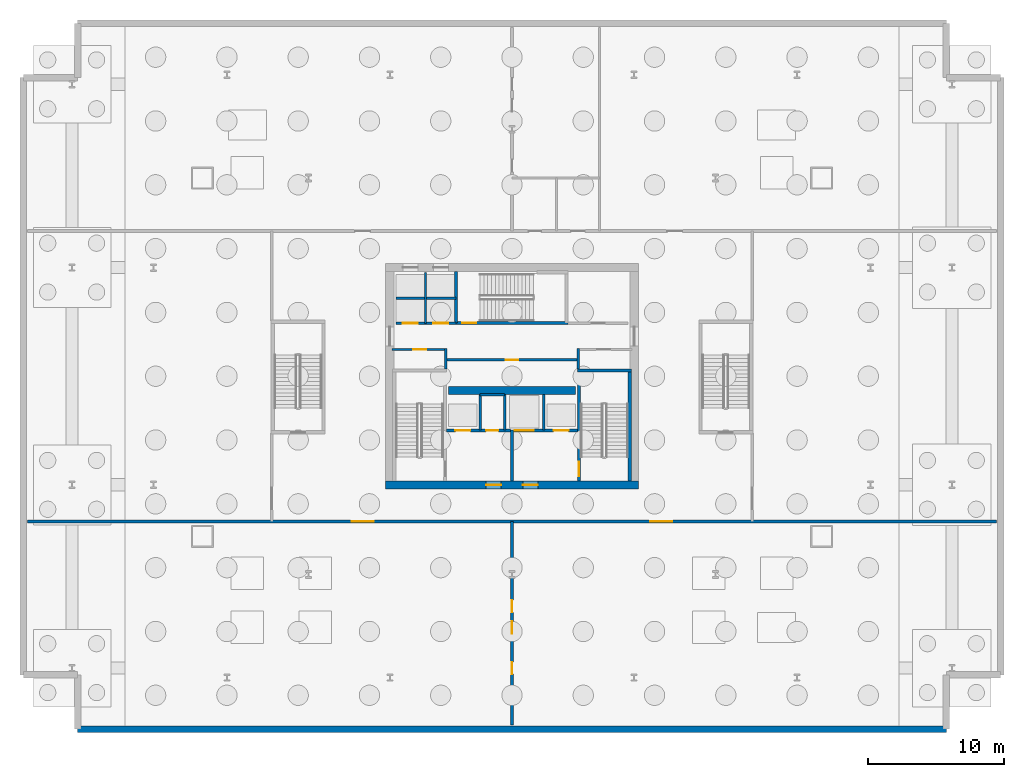
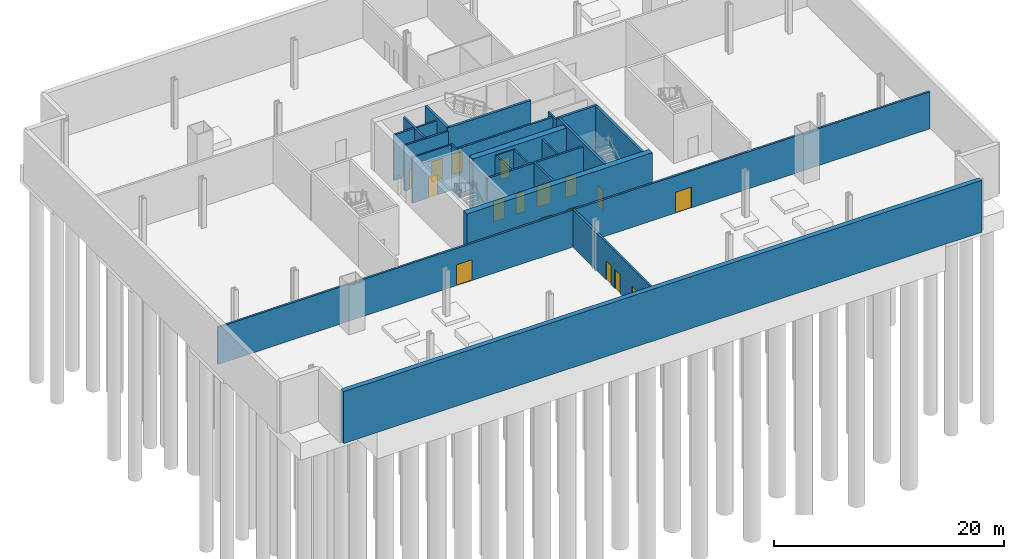
# One storey, part 3 of 8: 24 walls, 17 doors, 17 openings.
"""IFC4 building model written with IfcOpenShell, lengths in metres."""

from ifc_helpers import new_model, si_unit, direction, frame, frame_2d, origin, place, context, subcontext, project, spatial, rectangle, extrude, material, layer, layer_set, type_object, element, fill, save


model = new_model("IFC4")

# Units and contexts
model_context = context("Model", 3, precision=1e-05, world=origin(), true_north=direction((0.0, 1.0)))
body_context = subcontext(model_context, "Body", "Model", "MODEL_VIEW")
ifc_project = project(units=[si_unit("LENGTHUNIT", "METRE"), si_unit("AREAUNIT", "SQUARE_METRE"), si_unit("VOLUMEUNIT", "CUBIC_METRE"), si_unit("PLANEANGLEUNIT", "RADIAN"), si_unit("MASSUNIT", "GRAM", prefix="KILO")], contexts=[model_context])

# Site, building, storey
site_placement = place(None, origin())
site = spatial("IfcSite", under=ifc_project, at=site_placement, CompositionType="ELEMENT")
building_placement = place(site_placement, origin())
building = spatial("IfcBuilding", under=site, at=building_placement, Name="Haldenkirk Collegiate Tower", CompositionType="ELEMENT")
storey_placement = place(building_placement, frame((0.0, 0.0, -5.199951171875)))
storey = spatial("IfcBuildingStorey", under=building, at=storey_placement, Name="B1", CompositionType="ELEMENT", Elevation=-5.199951171875)

# Wall
ifc_material_1 = material(Name="Concrete f'c 55 MPa", Category="concrete")
ifc_layer_1 = layer(ifc_material_1, 0.47998046875)
ifc_layer_set_1 = layer_set([ifc_layer_1], Name="Concrete f'c 55 MPa")
wall_type_1 = type_object("IfcWallType", Name="WL-B1-RET-480", PredefinedType="SHEAR", material=ifc_layer_set_1)
wall_1_placement = place(storey_placement, frame((4.0, 0.0, -0.300048828125), z_axis=(0.0, 0.0, 1.0), x_axis=(1.0, 0.0, 0.0)))
element("IfcWall", 1, at=wall_1_placement, inside=storey, type_object=wall_type_1, Name="B1 perimeter retaining wall 01", PredefinedType="SHEAR", context=body_context, shape_type="SweptSolid", body=[
    extrude(rectangle(XDim=64.0, YDim=0.47998046875, at=frame_2d((32.0, 0.0))), origin(), (0.0, 0.0, 1.0), 5.5),
])

# Wall, openings, doors
ifc_material_2 = material(Name="Concrete f'c 70 MPa", Category="concrete")
ifc_layer_2 = layer(ifc_material_2, 0.60009765625)
ifc_layer_set_2 = layer_set([ifc_layer_2], Name="Concrete f'c 70 MPa")
wall_type_2 = type_object("IfcWallType", Name="WL-CORE-600", PredefinedType="SHEAR", material=ifc_layer_set_2)
wall_2_placement = place(storey_placement, frame((26.699951171875, 18.0, -0.300048828125), z_axis=(0.0, 0.0, 1.0), x_axis=(1.0, 0.0, 0.0)))
wall_2 = element("IfcWall", 2, at=wall_2_placement, inside=storey, type_object=wall_type_2, Name="B1 central core shear wall S", PredefinedType="SHEAR", context=body_context, shape_type="SweptSolid", body=[
    extrude(rectangle(XDim=18.60009765625, YDim=0.60009765625, at=frame_2d((9.300048828125, 0.0))), origin(), (0.0, 0.0, 1.0), 5.5),
])
opening_1_placement = place(wall_2_placement, frame((7.39990234375, 0.0, 0.300048828125)))
opening_1 = element("IfcOpeningElement", 3, at=opening_1_placement, cuts=wall_2, Name="Opening D-02", PredefinedType="OPENING", context=body_context, shape_type="SweptSolid", body=[
    extrude(rectangle(XDim=1.10009765625, YDim=2.14990234375, at=frame_2d((0.550048828125, 1.074951171875))), frame((0.0, 0.31005859375, 0.0), z_axis=(0.0, -1.0, 0.0), x_axis=(1.0, 0.0, 0.0)), (0.0, 0.0, 1.0), 0.6201171875),
])
opening_2_placement = place(wall_2_placement, frame((10.10009765625, 0.0, 0.300048828125)))
opening_2 = element("IfcOpeningElement", 4, at=opening_2_placement, cuts=wall_2, Name="Opening D-02", PredefinedType="OPENING", context=body_context, shape_type="SweptSolid", body=[
    extrude(rectangle(XDim=1.10009765625, YDim=2.14990234375, at=frame_2d((0.550048828125, 1.074951171875))), frame((0.0, 0.31005859375, 0.0), z_axis=(0.0, -1.0, 0.0), x_axis=(1.0, 0.0, 0.0)), (0.0, 0.0, 1.0), 0.6201171875),
])
ifc_material_3 = material(Name="Galvanized fire-rated hollow steel door", Category="steel")
ifc_layer_3 = layer(ifc_material_3, 0.06005859375)
ifc_layer_set_3 = layer_set([ifc_layer_3], Name="Galvanized fire-rated hollow steel door")
door_type_1 = type_object("IfcDoorType", Name="DR-STAIR-FD90-1100", OperationType="NOTDEFINED", PredefinedType="DOOR", material=ifc_layer_set_3)
door_1_placement = place(opening_1_placement, origin())
door_1 = element("IfcDoor", 5, at=door_1_placement, inside=storey, type_object=door_type_1, Name="B1 Firefighting Lobby 1 door", OperationType="SINGLE_SWING_RIGHT", OverallHeight=2.14990234375, OverallWidth=1.10009765625, PredefinedType="DOOR", context=body_context, shape_type="SweptSolid", body=[
    extrude(rectangle(XDim=1.10009765625, YDim=2.14990234375, at=frame_2d((0.550048828125, 1.074951171875))), frame((0.0, 0.02490234375, 0.0), z_axis=(0.0, -1.0, 0.0), x_axis=(1.0, 0.0, 0.0)), (0.0, 0.0, 1.0), 0.050048828125),
])
fill(opening_1, door_1)
door_2_placement = place(opening_2_placement, origin())
door_2 = element("IfcDoor", 6, at=door_2_placement, inside=storey, type_object=door_type_1, Name="B1 Firefighting Lobby 2 door", OperationType="SINGLE_SWING_LEFT", OverallHeight=2.14990234375, OverallWidth=1.10009765625, PredefinedType="DOOR", context=body_context, shape_type="SweptSolid", body=[
    extrude(rectangle(XDim=1.10009765625, YDim=2.14990234375, at=frame_2d((0.550048828125, 1.074951171875))), frame((0.0, 0.02490234375, 0.0), z_axis=(0.0, -1.0, 0.0), x_axis=(1.0, 0.0, 0.0)), (0.0, 0.0, 1.0), 0.050048828125),
])
fill(opening_2, door_2)

# Wall
wall_3_placement = place(storey_placement, frame((31.31005859375, 24.949951171875, -0.300048828125), z_axis=(0.0, 0.0, 1.0), x_axis=(1.0, 0.0, 0.0)))
element("IfcWall", 7, at=wall_3_placement, inside=storey, type_object=wall_type_2, Name="B1 central core spine shear wall", PredefinedType="SHEAR", context=body_context, shape_type="SweptSolid", body=[
    extrude(rectangle(XDim=9.3798828125, YDim=0.60009765625, at=frame_2d((4.68994140625, 0.0))), origin(), (0.0, 0.0, 1.0), 5.5),
])

# Wall, opening, door
ifc_material_4 = material(Name="Acoustic fire-rated gypsum partition", Category="concrete")
ifc_layer_4 = layer(ifc_material_4, 0.159912109375)
ifc_layer_set_4 = layer_set([ifc_layer_4], Name="Acoustic fire-rated gypsum partition")
wall_type_3 = type_object("IfcWallType", Name="WL-INT-CORR-160", PredefinedType="PARTITIONING", material=ifc_layer_set_4)
wall_4_placement = place(storey_placement, frame((27.14990234375, 27.97998046875, 0.0), z_axis=(0.0, 0.0, 1.0), x_axis=(1.0, 0.0, 0.0)))
wall_4 = element("IfcWall", 8, at=wall_4_placement, inside=storey, type_object=wall_type_3, Name="B1 interior partition IW-B1-VCSW-N", PredefinedType="PARTITIONING", context=body_context, shape_type="SweptSolid", body=[
    extrude(rectangle(XDim=4.050048828125, YDim=0.159912109375, at=frame_2d((2.02490234375, 0.0))), origin(), (0.0, 0.0, 1.0), 4.83984375),
])
opening_3_placement = place(wall_4_placement, frame((1.574951171875, 0.0, 0.0)))
opening_3 = element("IfcOpeningElement", 9, at=opening_3_placement, cuts=wall_4, Name="Opening D-10", PredefinedType="OPENING", context=body_context, shape_type="SweptSolid", body=[
    extrude(rectangle(XDim=0.949951171875, YDim=2.14990234375, at=frame_2d((0.47509765625, 1.074951171875))), frame((0.0, 0.08984375, 0.0), z_axis=(0.0, -1.0, 0.0), x_axis=(1.0, 0.0, 0.0)), (0.0, 0.0, 1.0), 0.179931640625),
])
ifc_material_5 = material(Name="Solid-core architectural oak fire door", Category="wood")
ifc_layer_5 = layer(ifc_material_5, 0.06005859375)
ifc_layer_set_5 = layer_set([ifc_layer_5], Name="Solid-core architectural oak fire door")
door_type_2 = type_object("IfcDoorType", Name="DR-INT-FD60-950", OperationType="NOTDEFINED", PredefinedType="DOOR", material=ifc_layer_set_5)
door_3_placement = place(opening_3_placement, origin())
door_3 = element("IfcDoor", 10, at=door_3_placement, inside=storey, type_object=door_type_2, Name="B1 core electrical door", OperationType="SINGLE_SWING_LEFT", OverallHeight=2.14990234375, OverallWidth=0.949951171875, PredefinedType="DOOR", context=body_context, shape_type="SweptSolid", body=[
    extrude(rectangle(XDim=0.949951171875, YDim=2.14990234375, at=frame_2d((0.47509765625, 1.074951171875))), frame((0.0, 0.02490234375, 0.0), z_axis=(0.0, -1.0, 0.0), x_axis=(1.0, 0.0, 0.0)), (0.0, 0.0, 1.0), 0.050048828125),
])
fill(opening_3, door_3)

# Walls
for number, where, z_axis, x_axis, name in (
    (11, (31.1201171875, 26.5400390625, 0.0), (0.0, 0.0, 1.0), (0.0, 1.0, 0.0), "B1 interior partition IW-B1-VCSW-E"),
    (12, (40.8798828125, 26.5400390625, 0.0), (0.0, 0.0, 1.0), (0.0, 1.0, 0.0), "B1 interior partition IW-B1-VCSE-W"),
):
    element("IfcWall", number, at=place(storey_placement, frame(where, z_axis=z_axis, x_axis=x_axis)), inside=storey, type_object=wall_type_3, Name=name, PredefinedType="PARTITIONING", context=body_context, shape_type="SweptSolid", body=[
        extrude(rectangle(XDim=1.510009765625, YDim=0.159912109375, at=frame_2d((0.7548828125, 0.0))), origin(), (0.0, 0.0, 1.0), 4.83984375),
    ])
ifc_material_6 = material(Name="Fire-rated gypsum shaftboard assembly", Category="concrete")
ifc_layer_6 = layer(ifc_material_6, 0.179931640625)
ifc_layer_set_6 = layer_set([ifc_layer_6], Name="Fire-rated gypsum shaftboard assembly")
wall_type_4 = type_object("IfcWallType", Name="WL-INT-SHAFT-180", PredefinedType="PARTITIONING", material=ifc_layer_set_6)
for number, where, z_axis, x_axis, name in (
    (13, (33.64990234375, 22.050048828125, 0.0), (0.0, 0.0, 1.0), (0.0, 1.0, 0.0), "B1 interior partition IW-B1-FL1E"),
    (14, (35.449951171875, 22.050048828125, 0.0), (0.0, 0.0, 1.0), (0.0, 1.0, 0.0), "B1 interior partition IW-B1-GL1W"),
):
    element("IfcWall", number, at=place(storey_placement, frame(where, z_axis=z_axis, x_axis=x_axis)), inside=storey, type_object=wall_type_4, Name=name, PredefinedType="PARTITIONING", context=body_context, shape_type="SweptSolid", body=[
        extrude(rectangle(XDim=2.599853515625, YDim=0.179931640625, at=frame_2d((1.2998046875, 0.0))), origin(), (0.0, 0.0, 1.0), 4.83984375),
    ])
wall_5_placement = place(storey_placement, frame((33.64990234375, 24.64990234375, 0.0), z_axis=(0.0, 0.0, 1.0), x_axis=(1.0, 0.0, 0.0)))
element("IfcWall", 15, at=wall_5_placement, inside=storey, type_object=wall_type_4, Name="B1 interior partition IW-B1-RSRN", PredefinedType="PARTITIONING", context=body_context, shape_type="SweptSolid", body=[
    extrude(rectangle(XDim=1.800048828125, YDim=0.179931640625, at=frame_2d((0.89990234375, 0.0))), origin(), (0.0, 0.0, 1.0), 4.83984375),
])
wall_6_placement = place(storey_placement, frame((38.35009765625, 22.050048828125, 0.0), z_axis=(0.0, 0.0, 1.0), x_axis=(0.0, 1.0, 0.0)))
element("IfcWall", 16, at=wall_6_placement, inside=storey, type_object=wall_type_4, Name="B1 interior partition IW-B1-GL1E", PredefinedType="PARTITIONING", context=body_context, shape_type="SweptSolid", body=[
    extrude(rectangle(XDim=2.599853515625, YDim=0.179931640625, at=frame_2d((1.2998046875, 0.0))), origin(), (0.0, 0.0, 1.0), 4.83984375),
])

# Wall, openings, doors
wall_7_placement = place(storey_placement, frame((27.449951171875, 29.89990234375, 0.0), z_axis=(0.0, 0.0, 1.0), x_axis=(1.0, 0.0, 0.0)))
wall_7 = element("IfcWall", 17, at=wall_7_placement, inside=storey, type_object=wall_type_4, Name="B1 interior partition IW-B1-PLS", PredefinedType="PARTITIONING", context=body_context, shape_type="SweptSolid", body=[
    extrude(rectangle(XDim=4.429931640625, YDim=0.179931640625, at=frame_2d((2.21484375, 0.0))), origin(), (0.0, 0.0, 1.0), 4.83984375),
])
opening_4_placement = place(wall_7_placement, frame((0.514892578125, 0.0, 0.0)))
opening_4 = element("IfcOpeningElement", 18, at=opening_4_placement, cuts=wall_7, Name="Opening LD-11", PredefinedType="OPENING", context=body_context, shape_type="SweptSolid", body=[
    extrude(rectangle(XDim=1.10009765625, YDim=2.14990234375, at=frame_2d((0.550048828125, 1.074951171875))), frame((0.0, 0.099853515625, 0.0), z_axis=(0.0, -1.0, 0.0), x_axis=(1.0, 0.0, 0.0)), (0.0, 0.0, 1.0), 0.199951171875),
])
opening_5_placement = place(wall_7_placement, frame((2.764892578125, 0.0, 0.0)))
opening_5 = element("IfcOpeningElement", 19, at=opening_5_placement, cuts=wall_7, Name="Opening LD-11", PredefinedType="OPENING", context=body_context, shape_type="SweptSolid", body=[
    extrude(rectangle(XDim=1.10009765625, YDim=2.14990234375, at=frame_2d((0.550048828125, 1.074951171875))), frame((0.0, 0.099853515625, 0.0), z_axis=(0.0, -1.0, 0.0), x_axis=(1.0, 0.0, 0.0)), (0.0, 0.0, 1.0), 0.199951171875),
])
ifc_material_7 = material(Name="Brushed architectural stainless steel", Category="steel")
ifc_layer_7 = layer(ifc_material_7, 0.06005859375)
ifc_layer_set_7 = layer_set([ifc_layer_7], Name="Brushed architectural stainless steel")
door_type_3 = type_object("IfcDoorType", Name="LD-PASS-1100", OperationType="NOTDEFINED", PredefinedType="DOOR", material=ifc_layer_set_7)
door_4_placement = place(opening_4_placement, origin())
door_4 = element("IfcDoor", 20, at=door_4_placement, inside=storey, type_object=door_type_3, Name="B1 Elevator PL1 sliding landing door", OperationType="SLIDING_TO_LEFT", OverallHeight=2.14990234375, OverallWidth=1.10009765625, PredefinedType="DOOR", context=body_context, shape_type="SweptSolid", body=[
    extrude(rectangle(XDim=1.10009765625, YDim=2.14990234375, at=frame_2d((0.550048828125, 1.074951171875))), frame((0.0, 0.02490234375, 0.0), z_axis=(0.0, -1.0, 0.0), x_axis=(1.0, 0.0, 0.0)), (0.0, 0.0, 1.0), 0.050048828125),
])
fill(opening_4, door_4)
door_5_placement = place(opening_5_placement, origin())
door_5 = element("IfcDoor", 21, at=door_5_placement, inside=storey, type_object=door_type_3, Name="B1 Elevator PL2 sliding landing door", OperationType="SLIDING_TO_LEFT", OverallHeight=2.14990234375, OverallWidth=1.10009765625, PredefinedType="DOOR", context=body_context, shape_type="SweptSolid", body=[
    extrude(rectangle(XDim=1.10009765625, YDim=2.14990234375, at=frame_2d((0.550048828125, 1.074951171875))), frame((0.0, 0.02490234375, 0.0), z_axis=(0.0, -1.0, 0.0), x_axis=(1.0, 0.0, 0.0)), (0.0, 0.0, 1.0), 0.050048828125),
])
fill(opening_5, door_5)

# Walls
wall_8_placement = place(storey_placement, frame((27.449951171875, 31.75, 0.0), z_axis=(0.0, 0.0, 1.0), x_axis=(1.0, 0.0, 0.0)))
element("IfcWall", 22, at=wall_8_placement, inside=storey, type_object=wall_type_4, Name="B1 interior partition IW-B1-PLM", PredefinedType="PARTITIONING", context=body_context, shape_type="SweptSolid", body=[
    extrude(rectangle(XDim=4.429931640625, YDim=0.179931640625, at=frame_2d((2.21484375, 0.0))), origin(), (0.0, 0.0, 1.0), 4.83984375),
])
wall_9_placement = place(storey_placement, frame((29.6298828125, 29.89990234375, 0.0), z_axis=(0.0, 0.0, 1.0), x_axis=(0.0, 1.0, 0.0)))
element("IfcWall", 23, at=wall_9_placement, inside=storey, type_object=wall_type_4, Name="B1 interior partition IW-B1-PLV", PredefinedType="PARTITIONING", context=body_context, shape_type="SweptSolid", body=[
    extrude(rectangle(XDim=3.75, YDim=0.179931640625, at=frame_2d((1.875, 0.0))), origin(), (0.0, 0.0, 1.0), 4.83984375),
])

# Wall, opening, door
wall_10_placement = place(storey_placement, frame((31.199951171875, 27.199951171875, 0.0), z_axis=(0.0, 0.0, 1.0), x_axis=(1.0, 0.0, 0.0)))
wall_10 = element("IfcWall", 24, at=wall_10_placement, inside=storey, type_object=wall_type_4, Name="B1 interior partition IW-B1-PHN", PredefinedType="PARTITIONING", context=body_context, shape_type="SweptSolid", body=[
    extrude(rectangle(XDim=9.60009765625, YDim=0.179931640625, at=frame_2d((4.800048828125, 0.0))), origin(), (0.0, 0.0, 1.0), 4.83984375),
])
opening_6_placement = place(wall_10_placement, frame((4.324951171875, 0.0, 0.0)))
opening_6 = element("IfcOpeningElement", 25, at=opening_6_placement, cuts=wall_10, Name="Opening D-05", PredefinedType="OPENING", context=body_context, shape_type="SweptSolid", body=[
    extrude(rectangle(XDim=0.949951171875, YDim=2.14990234375, at=frame_2d((0.47509765625, 1.074951171875))), frame((0.0, 0.099853515625, 0.0), z_axis=(0.0, -1.0, 0.0), x_axis=(1.0, 0.0, 0.0)), (0.0, 0.0, 1.0), 0.199951171875),
])
ifc_layer_8 = layer(ifc_material_3, 0.06005859375)
ifc_layer_set_8 = layer_set([ifc_layer_8], Name="Galvanized fire-rated hollow steel door")
door_type_4 = type_object("IfcDoorType", Name="DR-INT-FD90-950", OperationType="NOTDEFINED", PredefinedType="DOOR", material=ifc_layer_set_8)
door_6_placement = place(opening_6_placement, origin())
door_6 = element("IfcDoor", 26, at=door_6_placement, inside=storey, type_object=door_type_4, Name="B1 telecom door", OperationType="SINGLE_SWING_RIGHT", OverallHeight=2.14990234375, OverallWidth=0.949951171875, PredefinedType="DOOR", context=body_context, shape_type="SweptSolid", body=[
    extrude(rectangle(XDim=0.949951171875, YDim=2.14990234375, at=frame_2d((0.47509765625, 1.074951171875))), frame((0.0, 0.02490234375, 0.0), z_axis=(0.0, -1.0, 0.0), x_axis=(1.0, 0.0, 0.0)), (0.0, 0.0, 1.0), 0.050048828125),
])
fill(opening_6, door_6)

# Wall
ifc_layer_9 = layer(ifc_material_6, 0.199951171875)
ifc_layer_set_9 = layer_set([ifc_layer_9], Name="Fire-rated gypsum shaftboard assembly")
wall_type_5 = type_object("IfcWallType", Name="WL-INT-SHAFT-200", PredefinedType="PARTITIONING", material=ifc_layer_set_9)
wall_11_placement = place(storey_placement, frame((36.0, 18.280029296875, 0.0), z_axis=(0.0, 0.0, 1.0), x_axis=(0.0, 1.0, 0.0)))
element("IfcWall", 27, at=wall_11_placement, inside=storey, type_object=wall_type_5, Name="B1 interior partition IW-B1-FFLM", PredefinedType="PARTITIONING", context=body_context, shape_type="SweptSolid", body=[
    extrude(rectangle(XDim=3.77001953125, YDim=0.199951171875, at=frame_2d((1.885009765625, 0.0))), origin(), (0.0, 0.0, 1.0), 4.83984375),
])

# Wall, openings, doors
wall_12_placement = place(storey_placement, frame((31.18994140625, 22.0, 0.0), z_axis=(0.0, 0.0, 1.0), x_axis=(1.0, 0.0, 0.0)))
wall_12 = element("IfcWall", 28, at=wall_12_placement, inside=storey, type_object=wall_type_5, Name="B1 interior partition IW-B1-FFL1N", PredefinedType="PARTITIONING", context=body_context, shape_type="SweptSolid", body=[
    extrude(rectangle(XDim=4.68994140625, YDim=0.199951171875, at=frame_2d((2.344970703125, 0.0))), origin(), (0.0, 0.0, 1.0), 4.83984375),
])
opening_7_placement = place(wall_12_placement, frame((2.909912109375, 0.0, 0.0)))
opening_7 = element("IfcOpeningElement", 29, at=opening_7_placement, cuts=wall_12, Name="Opening D-06", PredefinedType="OPENING", context=body_context, shape_type="SweptSolid", body=[
    extrude(rectangle(XDim=0.89990234375, YDim=2.14990234375, at=frame_2d((0.449951171875, 1.074951171875))), frame((0.0, 0.10986328125, 0.0), z_axis=(0.0, -1.0, 0.0), x_axis=(1.0, 0.0, 0.0)), (0.0, 0.0, 1.0), 0.219970703125),
])
opening_8_placement = place(wall_12_placement, frame((0.635009765625, 0.0, 0.0)))
opening_8 = element("IfcOpeningElement", 30, at=opening_8_placement, cuts=wall_12, Name="Opening LD-12", PredefinedType="OPENING", context=body_context, shape_type="SweptSolid", body=[
    extrude(rectangle(XDim=1.10009765625, YDim=2.14990234375, at=frame_2d((0.550048828125, 1.074951171875))), frame((0.0, 0.10986328125, 0.0), z_axis=(0.0, -1.0, 0.0), x_axis=(1.0, 0.0, 0.0)), (0.0, 0.0, 1.0), 0.219970703125),
])
ifc_layer_10 = layer(ifc_material_3, 0.06005859375)
ifc_layer_set_10 = layer_set([ifc_layer_10], Name="Galvanized fire-rated hollow steel door")
door_type_5 = type_object("IfcDoorType", Name="DR-INT-FD90-900", OperationType="NOTDEFINED", PredefinedType="DOOR", material=ifc_layer_set_10)
door_7_placement = place(opening_7_placement, origin())
door_7 = element("IfcDoor", 31, at=door_7_placement, inside=storey, type_object=door_type_5, Name="B1 electrical riser door", OperationType="SINGLE_SWING_RIGHT", OverallHeight=2.14990234375, OverallWidth=0.89990234375, PredefinedType="DOOR", context=body_context, shape_type="SweptSolid", body=[
    extrude(rectangle(XDim=0.89990234375, YDim=2.14990234375, at=frame_2d((0.449951171875, 1.074951171875))), frame((0.0, 0.02490234375, 0.0), z_axis=(0.0, -1.0, 0.0), x_axis=(1.0, 0.0, 0.0)), (0.0, 0.0, 1.0), 0.050048828125),
])
fill(opening_7, door_7)
ifc_layer_11 = layer(ifc_material_7, 0.06005859375)
ifc_layer_set_11 = layer_set([ifc_layer_11], Name="Brushed architectural stainless steel")
door_type_6 = type_object("IfcDoorType", Name="LD-FIRE-1100", OperationType="NOTDEFINED", PredefinedType="DOOR", material=ifc_layer_set_11)
door_8_placement = place(opening_8_placement, origin())
door_8 = element("IfcDoor", 32, at=door_8_placement, inside=storey, type_object=door_type_6, Name="B1 Elevator FL1 sliding landing door", OperationType="SLIDING_TO_LEFT", OverallHeight=2.14990234375, OverallWidth=1.10009765625, PredefinedType="DOOR", context=body_context, shape_type="SweptSolid", body=[
    extrude(rectangle(XDim=1.10009765625, YDim=2.14990234375, at=frame_2d((0.550048828125, 1.074951171875))), frame((0.0, 0.02490234375, 0.0), z_axis=(0.0, -1.0, 0.0), x_axis=(1.0, 0.0, 0.0)), (0.0, 0.0, 1.0), 0.050048828125),
])
fill(opening_8, door_8)

wall_13_placement = place(storey_placement, frame((36.1201171875, 22.0, 0.0), z_axis=(0.0, 0.0, 1.0), x_axis=(1.0, 0.0, 0.0)))
wall_13 = element("IfcWall", 33, at=wall_13_placement, inside=storey, type_object=wall_type_5, Name="B1 interior partition IW-B1-FFL2N", PredefinedType="PARTITIONING", context=body_context, shape_type="SweptSolid", body=[
    extrude(rectangle(XDim=4.68994140625, YDim=0.199951171875, at=frame_2d((2.344970703125, 0.0))), origin(), (0.0, 0.0, 1.0), 4.83984375),
])
opening_9_placement = place(wall_13_placement, frame((2.955078125, 0.0, 0.0)))
opening_9 = element("IfcOpeningElement", 34, at=opening_9_placement, cuts=wall_13, Name="Opening LD-12", PredefinedType="OPENING", context=body_context, shape_type="SweptSolid", body=[
    extrude(rectangle(XDim=1.10009765625, YDim=2.14990234375, at=frame_2d((0.550048828125, 1.074951171875))), frame((0.0, 0.10986328125, 0.0), z_axis=(0.0, -1.0, 0.0), x_axis=(1.0, 0.0, 0.0)), (0.0, 0.0, 1.0), 0.219970703125),
])
opening_10_placement = place(wall_13_placement, frame((0.080078125, 0.0, 0.0)))
opening_10 = element("IfcOpeningElement", 35, at=opening_10_placement, cuts=wall_13, Name="Opening LD-13", PredefinedType="OPENING", context=body_context, shape_type="SweptSolid", body=[
    extrude(rectangle(XDim=1.39990234375, YDim=2.199951171875, at=frame_2d((0.699951171875, 1.10009765625))), frame((0.0, 0.10986328125, 0.0), z_axis=(0.0, -1.0, 0.0), x_axis=(1.0, 0.0, 0.0)), (0.0, 0.0, 1.0), 0.219970703125),
])
door_9_placement = place(opening_9_placement, origin())
door_9 = element("IfcDoor", 36, at=door_9_placement, inside=storey, type_object=door_type_6, Name="B1 Elevator FL2 sliding landing door", OperationType="SLIDING_TO_LEFT", OverallHeight=2.14990234375, OverallWidth=1.10009765625, PredefinedType="DOOR", context=body_context, shape_type="SweptSolid", body=[
    extrude(rectangle(XDim=1.10009765625, YDim=2.14990234375, at=frame_2d((0.550048828125, 1.074951171875))), frame((0.0, 0.02490234375, 0.0), z_axis=(0.0, -1.0, 0.0), x_axis=(1.0, 0.0, 0.0)), (0.0, 0.0, 1.0), 0.050048828125),
])
fill(opening_9, door_9)
ifc_layer_12 = layer(ifc_material_7, 0.06005859375)
ifc_layer_set_12 = layer_set([ifc_layer_12], Name="Brushed architectural stainless steel")
door_type_7 = type_object("IfcDoorType", Name="LD-GOODS-1400", OperationType="NOTDEFINED", PredefinedType="DOOR", material=ifc_layer_set_12)
door_10_placement = place(opening_10_placement, origin())
door_10 = element("IfcDoor", 37, at=door_10_placement, inside=storey, type_object=door_type_7, Name="B1 Elevator GL1 sliding landing door", OperationType="SLIDING_TO_LEFT", OverallHeight=2.199951171875, OverallWidth=1.39990234375, PredefinedType="DOOR", context=body_context, shape_type="SweptSolid", body=[
    extrude(rectangle(XDim=1.39990234375, YDim=2.199951171875, at=frame_2d((0.699951171875, 1.10009765625))), frame((0.0, 0.02490234375, 0.0), z_axis=(0.0, -1.0, 0.0), x_axis=(1.0, 0.0, 0.0)), (0.0, 0.0, 1.0), 0.050048828125),
])
fill(opening_10, door_10)

wall_14_placement = place(storey_placement, frame((0.300048828125, 15.300048828125, 0.0), z_axis=(0.0, 0.0, 1.0), x_axis=(1.0, 0.0, 0.0)))
wall_14 = element("IfcWall", 38, at=wall_14_placement, inside=storey, type_object=wall_type_5, Name="B1 interior partition IW-B1-CS", PredefinedType="PARTITIONING", context=body_context, shape_type="SweptSolid", body=[
    extrude(rectangle(XDim=71.39990234375, YDim=0.199951171875, at=frame_2d((35.699951171875, 0.0))), origin(), (0.0, 0.0, 1.0), 3.93505859375),
])
opening_11_placement = place(wall_14_placement, frame((23.89990234375, 0.0, 0.0)))
opening_11 = element("IfcOpeningElement", 39, at=opening_11_placement, cuts=wall_14, Name="Opening D-04", PredefinedType="OPENING", context=body_context, shape_type="SweptSolid", body=[
    extrude(rectangle(XDim=1.60009765625, YDim=2.199951171875, at=frame_2d((0.800048828125, 1.10009765625))), frame((0.0, 0.10986328125, 0.0), z_axis=(0.0, -1.0, 0.0), x_axis=(1.0, 0.0, 0.0)), (0.0, 0.0, 1.0), 0.219970703125),
])
opening_12_placement = place(wall_14_placement, frame((45.89990234375, 0.0, 0.0)))
opening_12 = element("IfcOpeningElement", 40, at=opening_12_placement, cuts=wall_14, Name="Opening D-04", PredefinedType="OPENING", context=body_context, shape_type="SweptSolid", body=[
    extrude(rectangle(XDim=1.60009765625, YDim=2.199951171875, at=frame_2d((0.800048828125, 1.10009765625))), frame((0.0, 0.10986328125, 0.0), z_axis=(0.0, -1.0, 0.0), x_axis=(1.0, 0.0, 0.0)), (0.0, 0.0, 1.0), 0.219970703125),
])
ifc_layer_13 = layer(ifc_material_3, 0.06005859375)
ifc_layer_set_13 = layer_set([ifc_layer_13], Name="Galvanized fire-rated hollow steel door")
door_type_8 = type_object("IfcDoorType", Name="DR-DBL-FD90-1600", OperationType="NOTDEFINED", PredefinedType="DOOR", material=ifc_layer_set_13)
door_11_placement = place(opening_11_placement, origin())
door_11 = element("IfcDoor", 41, at=door_11_placement, inside=storey, type_object=door_type_8, Name="B1 chiller plant door", OperationType="DOUBLE_DOOR_SINGLE_SWING", OverallHeight=2.199951171875, OverallWidth=1.60009765625, PredefinedType="DOOR", context=body_context, shape_type="SweptSolid", body=[
    extrude(rectangle(XDim=1.60009765625, YDim=2.199951171875, at=frame_2d((0.800048828125, 1.10009765625))), frame((0.0, 0.02490234375, 0.0), z_axis=(0.0, -1.0, 0.0), x_axis=(1.0, 0.0, 0.0)), (0.0, 0.0, 1.0), 0.050048828125),
])
fill(opening_11, door_11)
door_12_placement = place(opening_12_placement, origin())
door_12 = element("IfcDoor", 42, at=door_12_placement, inside=storey, type_object=door_type_8, Name="B1 substation door", OperationType="DOUBLE_DOOR_SINGLE_SWING", OverallHeight=2.199951171875, OverallWidth=1.60009765625, PredefinedType="DOOR", context=body_context, shape_type="SweptSolid", body=[
    extrude(rectangle(XDim=1.60009765625, YDim=2.199951171875, at=frame_2d((0.800048828125, 1.10009765625))), frame((0.0, 0.02490234375, 0.0), z_axis=(0.0, -1.0, 0.0), x_axis=(1.0, 0.0, 0.0)), (0.0, 0.0, 1.0), 0.050048828125),
])
fill(opening_12, door_12)

wall_15_placement = place(storey_placement, frame((36.0, 0.300048828125, 0.0), z_axis=(0.0, 0.0, 1.0), x_axis=(0.0, 1.0, 0.0)))
wall_15 = element("IfcWall", 43, at=wall_15_placement, inside=storey, type_object=wall_type_5, Name="B1 interior partition IW-B1-S1", PredefinedType="PARTITIONING", context=body_context, shape_type="SweptSolid", body=[
    extrude(rectangle(XDim=15.0, YDim=0.199951171875, at=frame_2d((7.5, 0.0))), origin(), (0.0, 0.0, 1.0), 3.972900390625),
])
opening_13_placement = place(wall_15_placement, frame((3.75, 0.0, 0.0)))
opening_13 = element("IfcOpeningElement", 44, at=opening_13_placement, cuts=wall_15, Name="Opening D-15", PredefinedType="OPENING", context=body_context, shape_type="SweptSolid", body=[
    extrude(rectangle(XDim=0.89990234375, YDim=2.050048828125, at=frame_2d((0.449951171875, 1.02490234375))), frame((0.0, 0.10986328125, 0.0), z_axis=(0.0, -1.0, 0.0), x_axis=(1.0, 0.0, 0.0)), (0.0, 0.0, 1.0), 0.219970703125),
])
opening_14_placement = place(wall_15_placement, frame((6.75, 0.0, 0.0)))
opening_14 = element("IfcOpeningElement", 45, at=opening_14_placement, cuts=wall_15, Name="Opening D-15", PredefinedType="OPENING", context=body_context, shape_type="SweptSolid", body=[
    extrude(rectangle(XDim=0.89990234375, YDim=2.050048828125, at=frame_2d((0.449951171875, 1.02490234375))), frame((0.0, 0.10986328125, 0.0), z_axis=(0.0, -1.0, 0.0), x_axis=(1.0, 0.0, 0.0)), (0.0, 0.0, 1.0), 0.219970703125),
])
opening_15_placement = place(wall_15_placement, frame((8.300048828125, 0.0, 0.0)))
opening_15 = element("IfcOpeningElement", 46, at=opening_15_placement, cuts=wall_15, Name="Opening D-15", PredefinedType="OPENING", context=body_context, shape_type="SweptSolid", body=[
    extrude(rectangle(XDim=0.89990234375, YDim=2.050048828125, at=frame_2d((0.449951171875, 1.02490234375))), frame((0.0, 0.10986328125, 0.0), z_axis=(0.0, -1.0, 0.0), x_axis=(1.0, 0.0, 0.0)), (0.0, 0.0, 1.0), 0.219970703125),
])
ifc_layer_14 = layer(ifc_material_3, 0.06005859375)
ifc_layer_set_14 = layer_set([ifc_layer_14], Name="Galvanized fire-rated hollow steel door")
door_type_9 = type_object("IfcDoorType", Name="DR-RISER-900", OperationType="NOTDEFINED", PredefinedType="DOOR", material=ifc_layer_set_14)
door_13_placement = place(opening_13_placement, origin())
door_13 = element("IfcDoor", 47, at=door_13_placement, inside=storey, type_object=door_type_9, Name="B1 service riser access fire door 1", OperationType="SINGLE_SWING_LEFT", OverallHeight=2.050048828125, OverallWidth=0.89990234375, PredefinedType="DOOR", context=body_context, shape_type="SweptSolid", body=[
    extrude(rectangle(XDim=0.89990234375, YDim=2.050048828125, at=frame_2d((0.449951171875, 1.02490234375))), frame((0.0, 0.02490234375, 0.0), z_axis=(0.0, -1.0, 0.0), x_axis=(1.0, 0.0, 0.0)), (0.0, 0.0, 1.0), 0.050048828125),
])
fill(opening_13, door_13)
door_14_placement = place(opening_14_placement, origin())
door_14 = element("IfcDoor", 48, at=door_14_placement, inside=storey, type_object=door_type_9, Name="B1 service riser access fire door 2", OperationType="SINGLE_SWING_RIGHT", OverallHeight=2.050048828125, OverallWidth=0.89990234375, PredefinedType="DOOR", context=body_context, shape_type="SweptSolid", body=[
    extrude(rectangle(XDim=0.89990234375, YDim=2.050048828125, at=frame_2d((0.449951171875, 1.02490234375))), frame((0.0, 0.02490234375, 0.0), z_axis=(0.0, -1.0, 0.0), x_axis=(1.0, 0.0, 0.0)), (0.0, 0.0, 1.0), 0.050048828125),
])
fill(opening_14, door_14)
door_15_placement = place(opening_15_placement, origin())
door_15 = element("IfcDoor", 49, at=door_15_placement, inside=storey, type_object=door_type_9, Name="B1 service riser access fire door 3", OperationType="SINGLE_SWING_LEFT", OverallHeight=2.050048828125, OverallWidth=0.89990234375, PredefinedType="DOOR", context=body_context, shape_type="SweptSolid", body=[
    extrude(rectangle(XDim=0.89990234375, YDim=2.050048828125, at=frame_2d((0.449951171875, 1.02490234375))), frame((0.0, 0.02490234375, 0.0), z_axis=(0.0, -1.0, 0.0), x_axis=(1.0, 0.0, 0.0)), (0.0, 0.0, 1.0), 0.050048828125),
])
fill(opening_15, door_15)

# Wall, opening, door
ifc_layer_15 = layer(ifc_material_1, 0.239990234375)
ifc_layer_set_15 = layer_set([ifc_layer_15], Name="Concrete f'c 55 MPa")
wall_type_6 = type_object("IfcWallType", Name="WL-SHAFT-240", PredefinedType="SHEAR", material=ifc_layer_set_15)
wall_16_placement = place(storey_placement, frame((40.929931640625, 18.280029296875, -0.300048828125), z_axis=(0.0, 0.0, 1.0), x_axis=(0.0, 1.0, 0.0)))
wall_16 = element("IfcWall", 50, at=wall_16_placement, inside=storey, type_object=wall_type_6, Name="B1 stair shaft shear wall SW-B1-ST2W", PredefinedType="SHEAR", context=body_context, shape_type="SweptSolid", body=[
    extrude(rectangle(XDim=8.260009765625, YDim=0.239990234375, at=frame_2d((4.1298828125, 0.0))), origin(), (0.0, 0.0, 1.0), 5.5),
])
opening_16_placement = place(wall_16_placement, frame((0.364990234375, 0.0, 0.300048828125)))
opening_16 = element("IfcOpeningElement", 51, at=opening_16_placement, cuts=wall_16, Name="Opening D-01", PredefinedType="OPENING", context=body_context, shape_type="SweptSolid", body=[
    extrude(rectangle(XDim=1.050048828125, YDim=2.14990234375, at=frame_2d((0.52490234375, 1.074951171875))), frame((0.0, 0.1298828125, 0.0), z_axis=(0.0, -1.0, 0.0), x_axis=(1.0, 0.0, 0.0)), (0.0, 0.0, 1.0), 0.260009765625),
])
ifc_layer_16 = layer(ifc_material_3, 0.06005859375)
ifc_layer_set_16 = layer_set([ifc_layer_16], Name="Galvanized fire-rated hollow steel door")
door_type_10 = type_object("IfcDoorType", Name="DR-STAIR-FD90-1050", OperationType="NOTDEFINED", PredefinedType="DOOR", material=ifc_layer_set_16)
door_16_placement = place(opening_16_placement, origin())
door_16 = element("IfcDoor", 52, at=door_16_placement, inside=storey, type_object=door_type_10, Name="B1 Stair 2 door", OperationType="SINGLE_SWING_RIGHT", OverallHeight=2.14990234375, OverallWidth=1.050048828125, PredefinedType="DOOR", context=body_context, shape_type="SweptSolid", body=[
    extrude(rectangle(XDim=1.050048828125, YDim=2.14990234375, at=frame_2d((0.52490234375, 1.074951171875))), frame((0.0, 0.02490234375, 0.0), z_axis=(0.0, -1.0, 0.0), x_axis=(1.0, 0.0, 0.0)), (0.0, 0.0, 1.0), 0.050048828125),
])
fill(opening_16, door_16)

# Walls
wall_17_placement = place(storey_placement, frame((40.81005859375, 26.419921875, -0.300048828125), z_axis=(0.0, 0.0, 1.0), x_axis=(1.0, 0.0, 0.0)))
element("IfcWall", 53, at=wall_17_placement, inside=storey, type_object=wall_type_6, Name="B1 stair shaft shear wall SW-B1-ST2N", PredefinedType="SHEAR", context=body_context, shape_type="SweptSolid", body=[
    extrude(rectangle(XDim=3.97998046875, YDim=0.239990234375, at=frame_2d((1.989990234375, 0.0))), origin(), (0.0, 0.0, 1.0), 5.5),
])
wall_18_placement = place(storey_placement, frame((44.669921875, 18.280029296875, -0.300048828125), z_axis=(0.0, 0.0, 1.0), x_axis=(0.0, 1.0, 0.0)))
element("IfcWall", 54, at=wall_18_placement, inside=storey, type_object=wall_type_6, Name="B1 stair shaft shear wall SW-B1-ST2E", PredefinedType="SHEAR", context=body_context, shape_type="SweptSolid", body=[
    extrude(rectangle(XDim=8.260009765625, YDim=0.239990234375, at=frame_2d((4.1298828125, 0.0))), origin(), (0.0, 0.0, 1.0), 5.5),
])

# Wall, opening, door
wall_19_placement = place(storey_placement, frame((31.760009765625, 29.929931640625, -0.300048828125), z_axis=(0.0, 0.0, 1.0), x_axis=(1.0, 0.0, 0.0)))
wall_19 = element("IfcWall", 55, at=wall_19_placement, inside=storey, type_object=wall_type_6, Name="B1 stair shaft shear wall SW-B1-ST3S", PredefinedType="SHEAR", context=body_context, shape_type="SweptSolid", body=[
    extrude(rectangle(XDim=8.3798828125, YDim=0.239990234375, at=frame_2d((4.18994140625, 0.0))), origin(), (0.0, 0.0, 1.0), 5.5),
])
opening_17_placement = place(wall_19_placement, frame((0.56494140625, 0.0, 0.300048828125)))
opening_17 = element("IfcOpeningElement", 56, at=opening_17_placement, cuts=wall_19, Name="Opening D-01", PredefinedType="OPENING", context=body_context, shape_type="SweptSolid", body=[
    extrude(rectangle(XDim=1.050048828125, YDim=2.14990234375, at=frame_2d((0.52490234375, 1.074951171875))), frame((0.0, 0.1298828125, 0.0), z_axis=(0.0, -1.0, 0.0), x_axis=(1.0, 0.0, 0.0)), (0.0, 0.0, 1.0), 0.260009765625),
])
door_17_placement = place(opening_17_placement, origin())
door_17 = element("IfcDoor", 57, at=door_17_placement, inside=storey, type_object=door_type_10, Name="B1 lift lobby Stair 3 door", OperationType="SINGLE_SWING_LEFT", OverallHeight=2.14990234375, OverallWidth=1.050048828125, PredefinedType="DOOR", context=body_context, shape_type="SweptSolid", body=[
    extrude(rectangle(XDim=1.050048828125, YDim=2.14990234375, at=frame_2d((0.52490234375, 1.074951171875))), frame((0.0, 0.02490234375, 0.0), z_axis=(0.0, -1.0, 0.0), x_axis=(1.0, 0.0, 0.0)), (0.0, 0.0, 1.0), 0.050048828125),
])
fill(opening_17, door_17)

# Wall
wall_20_placement = place(storey_placement, frame((31.8798828125, 29.929931640625, -0.300048828125), z_axis=(0.0, 0.0, 1.0), x_axis=(0.0, 1.0, 0.0)))
element("IfcWall", 58, at=wall_20_placement, inside=storey, type_object=wall_type_6, Name="B1 stair shaft shear wall SW-B1-ST3W", PredefinedType="SHEAR", context=body_context, shape_type="SweptSolid", body=[
    extrude(rectangle(XDim=3.7900390625, YDim=0.239990234375, at=frame_2d((1.89501953125, 0.0))), origin(), (0.0, 0.0, 1.0), 5.5),
])

save(model, "model.ifc")
